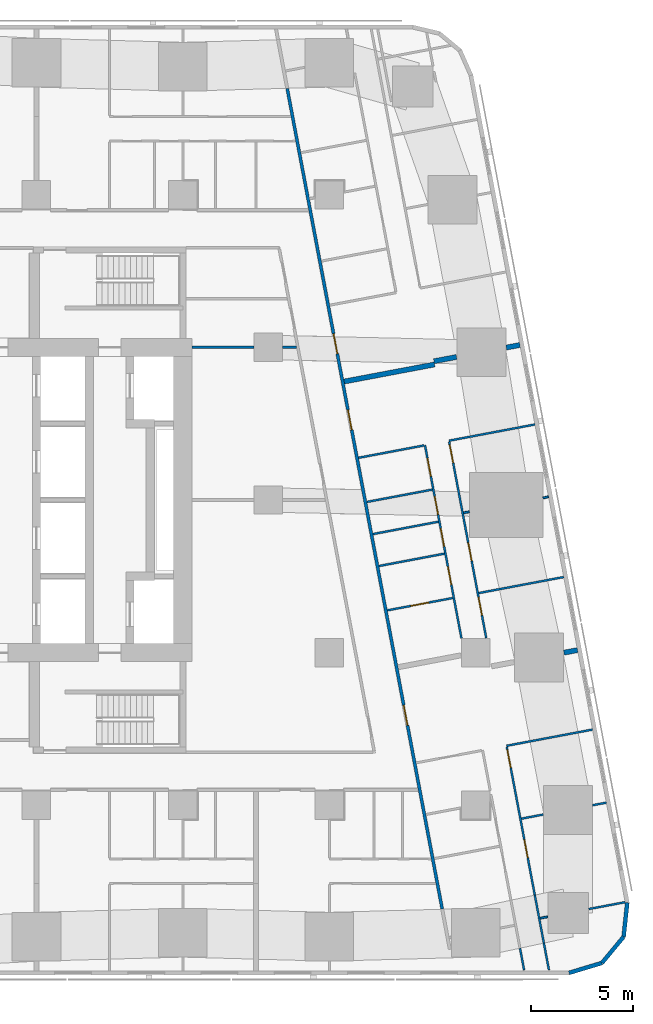
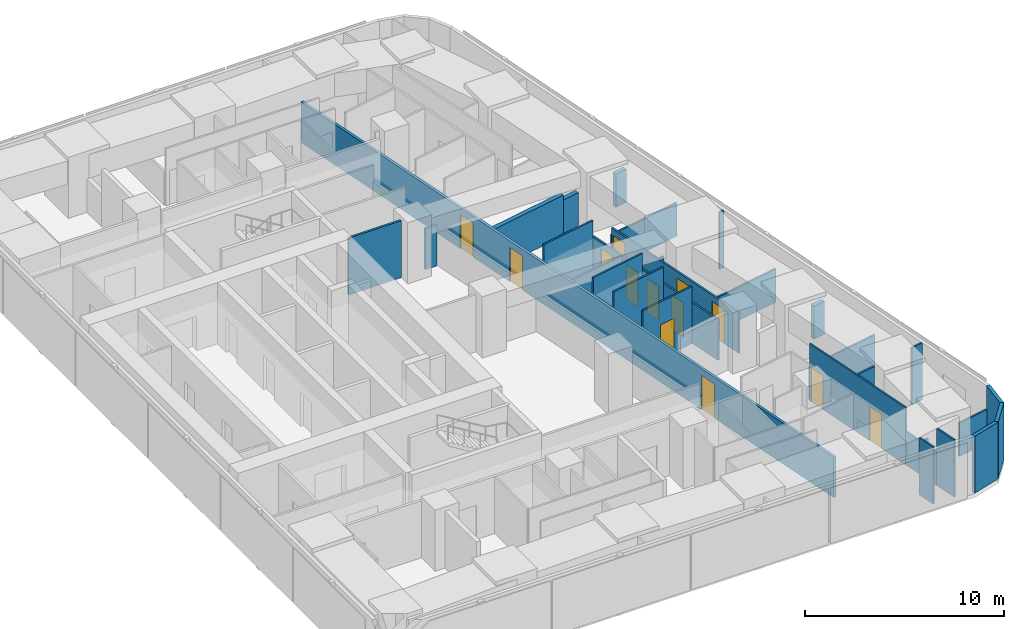
# One storey, part 5 of 10: 30 walls, 13 doors, 13 openings.
"""IFC4 building model written with IfcOpenShell, lengths in metres."""

from ifc_helpers import new_model, si_unit, direction, frame, frame_2d, origin, place, context, subcontext, project, spatial, rectangle, extrude, material, layer, layer_set, type_object, element, fill, save


model = new_model("IFC4")

# Units and contexts
model_context = context("Model", 3, precision=1e-05, world=origin(), true_north=direction((0.0, 1.0)))
body_context = subcontext(model_context, "Body", "Model", "MODEL_VIEW")
ifc_project = project(units=[si_unit("LENGTHUNIT", "METRE"), si_unit("AREAUNIT", "SQUARE_METRE"), si_unit("VOLUMEUNIT", "CUBIC_METRE"), si_unit("PLANEANGLEUNIT", "RADIAN"), si_unit("MASSUNIT", "GRAM", prefix="KILO")], contexts=[model_context])

# Site, building, storey
site_placement = place(None, origin())
site = spatial("IfcSite", under=ifc_project, at=site_placement, CompositionType="ELEMENT")
building_placement = place(site_placement, origin())
building = spatial("IfcBuilding", under=site, at=building_placement, Name="Sheger Commons Tower", CompositionType="ELEMENT")
storey_placement = place(building_placement, frame((0.0, 0.0, 238.699951171875)))
storey = spatial("IfcBuildingStorey", under=building, at=storey_placement, Name="L61", CompositionType="ELEMENT", Elevation=238.699951171875)

# Wall, openings, doors
ifc_material_1 = material(Name="Hollow concrete block masonry, skimmed both sides", Category="masonry")
ifc_layer_1 = layer(ifc_material_1, 0.14990234375)
ifc_layer_set_1 = layer_set([ifc_layer_1], Name="CORRIDOR WALL 150")
wall_type_1 = type_object("IfcWallType", Name="CORRIDOR WALL 150", PredefinedType="SOLIDWALL", material=ifc_layer_set_1)
wall_1_placement = place(storey_placement, frame((33.93310546875, 42.72998046875, 0.0), z_axis=(0.0, 0.0, 1.0), x_axis=(0.185595417643, -0.982626246825, 0.0)))
wall_1 = element("IfcWall", 1, at=wall_1_placement, inside=storey, type_object=wall_type_1, Name="Corridor wall L61", PredefinedType="SOLIDWALL", context=body_context, shape_type="SweptSolid", body=[
    extrude(rectangle(XDim=41.051025390625, YDim=0.14990234375, at=frame_2d((20.525390625, 0.0))), origin(), (0.0, 0.0, 1.0), 2.5),
])
opening_1_placement = place(wall_1_placement, frame((12.26611328125, 0.0, 0.0)))
opening_1 = element("IfcOpeningElement", 2, at=opening_1_placement, cuts=wall_1, Name="Opening D1", PredefinedType="OPENING", context=body_context, shape_type="SweptSolid", body=[
    extrude(rectangle(XDim=1.0, YDim=2.10009765625, at=frame_2d((0.5, 1.050048828125))), frame((0.0, 0.0849609375, 0.0), z_axis=(0.0, -1.0, 0.0), x_axis=(1.0, 0.0, 0.0)), (0.0, 0.0, 1.0), 0.169921875),
])
opening_2_placement = place(wall_1_placement, frame((16.08203125, 0.0, 0.0)))
opening_2 = element("IfcOpeningElement", 3, at=opening_2_placement, cuts=wall_1, Name="Opening D1", PredefinedType="OPENING", context=body_context, shape_type="SweptSolid", body=[
    extrude(rectangle(XDim=1.0, YDim=2.10009765625, at=frame_2d((0.5, 1.050048828125))), frame((0.0, 0.0849609375, 0.0), z_axis=(0.0, -1.0, 0.0), x_axis=(1.0, 0.0, 0.0)), (0.0, 0.0, 1.0), 0.169921875),
])
opening_3_placement = place(wall_1_placement, frame((30.862060546875, 0.0, 0.0)))
opening_3 = element("IfcOpeningElement", 4, at=opening_3_placement, cuts=wall_1, Name="Opening D1", PredefinedType="OPENING", context=body_context, shape_type="SweptSolid", body=[
    extrude(rectangle(XDim=1.0, YDim=2.10009765625, at=frame_2d((0.5, 1.050048828125))), frame((0.0, 0.0849609375, 0.0), z_axis=(0.0, -1.0, 0.0), x_axis=(1.0, 0.0, 0.0)), (0.0, 0.0, 1.0), 0.169921875),
])
ifc_material_2 = material(Name="Steel door set, fire rated", Category="steel")
door_type_1 = type_object("IfcDoorType", Name="FLAT ENTRANCE DOOR 1000x2100", OperationType="NOTDEFINED", PredefinedType="DOOR", material=ifc_material_2)
door_1_placement = place(opening_1_placement, origin())
door_1 = element("IfcDoor", 5, at=door_1_placement, inside=storey, type_object=door_type_1, Name="Flat entrance door", OperationType="SINGLE_SWING_LEFT", OverallHeight=2.10009765625, OverallWidth=1.0, PredefinedType="DOOR", context=body_context, shape_type="SweptSolid", body=[
    extrude(rectangle(XDim=1.0, YDim=2.10009765625, at=frame_2d((0.5, 1.050048828125))), frame((0.0, 0.02490234375, 0.0), z_axis=(0.0, -1.0, 0.0), x_axis=(1.0, 0.0, 0.0)), (0.0, 0.0, 1.0), 0.050048828125),
])
fill(opening_1, door_1)
door_2_placement = place(opening_2_placement, origin())
door_2 = element("IfcDoor", 6, at=door_2_placement, inside=storey, type_object=door_type_1, Name="Flat entrance door", OperationType="SINGLE_SWING_RIGHT", OverallHeight=2.10009765625, OverallWidth=1.0, PredefinedType="DOOR", context=body_context, shape_type="SweptSolid", body=[
    extrude(rectangle(XDim=1.0, YDim=2.10009765625, at=frame_2d((0.5, 1.050048828125))), frame((0.0, 0.02490234375, 0.0), z_axis=(0.0, -1.0, 0.0), x_axis=(1.0, 0.0, 0.0)), (0.0, 0.0, 1.0), 0.050048828125),
])
fill(opening_2, door_2)
door_3_placement = place(opening_3_placement, origin())
door_3 = element("IfcDoor", 7, at=door_3_placement, inside=storey, type_object=door_type_1, Name="Flat entrance door", OperationType="SINGLE_SWING_LEFT", OverallHeight=2.10009765625, OverallWidth=1.0, PredefinedType="DOOR", context=body_context, shape_type="SweptSolid", body=[
    extrude(rectangle(XDim=1.0, YDim=2.10009765625, at=frame_2d((0.5, 1.050048828125))), frame((0.0, 0.02490234375, 0.0), z_axis=(0.0, -1.0, 0.0), x_axis=(1.0, 0.0, 0.0)), (0.0, 0.0, 1.0), 0.050048828125),
])
fill(opening_3, door_3)

# Walls
ifc_material_3 = material(Name="Dense concrete block masonry, plastered both sides (separating wall between flats)", Category="masonry")
ifc_layer_2 = layer(ifc_material_3, 0.25)
ifc_layer_set_2 = layer_set([ifc_layer_2], Name="DEMISING WALL 250")
wall_type_2 = type_object("IfcWallType", Name="DEMISING WALL 250", PredefinedType="SOLIDWALL", material=ifc_layer_set_2)
wall_2_placement = place(storey_placement, frame((45.3720703125, 30.12109375, 0.0), z_axis=(0.0, 0.0, 1.0), x_axis=(-0.982347993061, -0.187062611252, 0.0)))
element("IfcWall", 8, at=wall_2_placement, inside=storey, type_object=wall_type_2, Name="Demising wall L61", PredefinedType="SOLIDWALL", context=body_context, shape_type="SweptSolid", body=[
    extrude(rectangle(XDim=0.679931640625, YDim=0.25, at=frame_2d((0.33984375, 0.0))), origin(), (0.0, 0.0, 1.0), 2.050048828125),
])
wall_3_placement = place(storey_placement, frame((42.256103515625, 29.531982421875, 0.0), z_axis=(0.0, 0.0, 1.0), x_axis=(-0.982549954272, -0.185998890749, 0.0)))
element("IfcWall", 9, at=wall_3_placement, inside=storey, type_object=wall_type_2, Name="Demising wall L61", PredefinedType="SOLIDWALL", context=body_context, shape_type="SweptSolid", body=[
    extrude(rectangle(XDim=1.12890625, YDim=0.25, at=frame_2d((0.564453125, 0.0))), origin(), (0.0, 0.0, 1.0), 2.050048828125),
])
wall_4_placement = place(storey_placement, frame((41.177001953125, 29.1640625, 0.0), z_axis=(0.0, 0.0, 1.0), x_axis=(-0.982612837616, -0.185666398014, 0.0)))
element("IfcWall", 10, at=wall_4_placement, inside=storey, type_object=wall_type_2, Name="Demising wall L61", PredefinedType="SOLIDWALL", context=body_context, shape_type="SweptSolid", body=[
    extrude(rectangle(XDim=4.524658203125, YDim=0.25, at=frame_2d((2.26220703125, 0.0))), origin(), (0.0, 0.0, 1.0), 2.5),
])
wall_5_placement = place(storey_placement, frame((48.2060546875, 15.1201171875, 0.0), z_axis=(0.0, 0.0, 1.0), x_axis=(-0.982610999048, -0.18567612811, 0.0)))
element("IfcWall", 11, at=wall_5_placement, inside=storey, type_object=wall_type_2, Name="Demising wall L61", PredefinedType="SOLIDWALL", context=body_context, shape_type="SweptSolid", body=[
    extrude(rectangle(XDim=0.6796875, YDim=0.25, at=frame_2d((0.33984375, 0.0))), origin(), (0.0, 0.0, 1.0), 2.050048828125),
])
ifc_material_4 = material(Name="Rendered concrete block masonry, dark grey", Category="masonry")
ifc_layer_3 = layer(ifc_material_4, 0.199951171875)
ifc_layer_set_3 = layer_set([ifc_layer_3], Name="FACADE WALL 200")
wall_type_3 = type_object("IfcWallType", Name="FACADE WALL 200", PredefinedType="SOLIDWALL", material=ifc_layer_set_3)
wall_6_placement = place(storey_placement, frame((47.791015625, -0.75, 0.0), z_axis=(0.0, 0.0, 1.0), x_axis=(0.957455232626, 0.288581838509, 0.0)))
element("IfcWall", 12, at=wall_6_placement, inside=storey, type_object=wall_type_3, Name="Facade wall L61", PredefinedType="SOLIDWALL", context=body_context, shape_type="SweptSolid", body=[
    extrude(rectangle(XDim=1.687744140625, YDim=0.199951171875, at=frame_2d((0.84375, 0.0))), origin(), (0.0, 0.0, 1.0), 3.5),
])
wall_7_placement = place(storey_placement, frame((49.406982421875, -0.262939453125, 0.0), z_axis=(0.0, 0.0, 1.0), x_axis=(0.638042593423, 0.770001070764, 0.0)))
element("IfcWall", 13, at=wall_7_placement, inside=storey, type_object=wall_type_3, Name="Facade wall L61", PredefinedType="SOLIDWALL", context=body_context, shape_type="SweptSolid", body=[
    extrude(rectangle(XDim=1.672607421875, YDim=0.199951171875, at=frame_2d((0.83642578125, 0.0))), origin(), (0.0, 0.0, 1.0), 3.5),
])
wall_8_placement = place(storey_placement, frame((50.47412109375, 1.02490234375, 0.0), z_axis=(0.0, 0.0, 1.0), x_axis=(0.106047815515, 0.994361031429, 0.0)))
element("IfcWall", 14, at=wall_8_placement, inside=storey, type_object=wall_type_3, Name="Facade wall L61", PredefinedType="SOLIDWALL", context=body_context, shape_type="SweptSolid", body=[
    extrude(rectangle(XDim=1.6875, YDim=0.199951171875, at=frame_2d((0.84375, 0.0))), origin(), (0.0, 0.0, 1.0), 3.5),
])

# Wall, openings, doors
ifc_material_5 = material(Name="Gypsum board on steel studs", Category="steel")
ifc_layer_4 = layer(ifc_material_5, 0.10009765625)
ifc_layer_set_4 = layer_set([ifc_layer_4], Name="PARTITION 100")
wall_type_4 = type_object("IfcWallType", Name="PARTITION 100", PredefinedType="PARTITIONING", material=ifc_layer_set_4)
wall_9_placement = place(storey_placement, frame((41.89404296875, 25.365966796875, 0.0), z_axis=(0.0, 0.0, 1.0), x_axis=(0.185612905165, -0.982622943675, 0.0)))
wall_9 = element("IfcWall", 15, at=wall_9_placement, inside=storey, type_object=wall_type_4, Name="Partition L61", PredefinedType="PARTITIONING", context=body_context, shape_type="SweptSolid", body=[
    extrude(rectangle(XDim=9.82666015625, YDim=0.10009765625, at=frame_2d((4.913330078125, 0.0))), origin(), (0.0, 0.0, 1.0), 2.5),
])
opening_4_placement = place(wall_9_placement, frame((0.15087890625, 0.0, 0.0)))
opening_4 = element("IfcOpeningElement", 16, at=opening_4_placement, cuts=wall_9, Name="Opening D2", PredefinedType="OPENING", context=body_context, shape_type="SweptSolid", body=[
    extrude(rectangle(XDim=0.89990234375, YDim=2.10009765625, at=frame_2d((0.449951171875, 1.050048828125))), frame((0.0, 0.06005859375, 0.0), z_axis=(0.0, -1.0, 0.0), x_axis=(1.0, 0.0, 0.0)), (0.0, 0.0, 1.0), 0.1201171875),
])
opening_5_placement = place(wall_9_placement, frame((5.050048828125, 0.0, 0.0)))
opening_5 = element("IfcOpeningElement", 17, at=opening_5_placement, cuts=wall_9, Name="Opening D2", PredefinedType="OPENING", context=body_context, shape_type="SweptSolid", body=[
    extrude(rectangle(XDim=0.89990234375, YDim=2.10009765625, at=frame_2d((0.449951171875, 1.050048828125))), frame((0.0, 0.06005859375, 0.0), z_axis=(0.0, -1.0, 0.0), x_axis=(1.0, 0.0, 0.0)), (0.0, 0.0, 1.0), 0.1201171875),
])
opening_6_placement = place(wall_9_placement, frame((7.782958984375, 0.0, 0.0)))
opening_6 = element("IfcOpeningElement", 18, at=opening_6_placement, cuts=wall_9, Name="Opening D2", PredefinedType="OPENING", context=body_context, shape_type="SweptSolid", body=[
    extrude(rectangle(XDim=0.89990234375, YDim=2.10009765625, at=frame_2d((0.449951171875, 1.050048828125))), frame((0.0, 0.06005859375, 0.0), z_axis=(0.0, -1.0, 0.0), x_axis=(1.0, 0.0, 0.0)), (0.0, 0.0, 1.0), 0.1201171875),
])
ifc_material_6 = material(Name="Timber door set", Category="wood")
door_type_2 = type_object("IfcDoorType", Name="INTERNAL DOOR 900x2100", OperationType="NOTDEFINED", PredefinedType="DOOR", material=ifc_material_6)
door_4_placement = place(opening_4_placement, origin())
door_4 = element("IfcDoor", 19, at=door_4_placement, inside=storey, type_object=door_type_2, Name="Main bedroom door", OperationType="SINGLE_SWING_LEFT", OverallHeight=2.10009765625, OverallWidth=0.89990234375, PredefinedType="DOOR", context=body_context, shape_type="SweptSolid", body=[
    extrude(rectangle(XDim=0.89990234375, YDim=2.10009765625, at=frame_2d((0.449951171875, 1.050048828125))), frame((0.0, 0.02490234375, 0.0), z_axis=(0.0, -1.0, 0.0), x_axis=(1.0, 0.0, 0.0)), (0.0, 0.0, 1.0), 0.050048828125),
])
fill(opening_4, door_4)
door_5_placement = place(opening_5_placement, origin())
door_5 = element("IfcDoor", 20, at=door_5_placement, inside=storey, type_object=door_type_2, Name="Bedroom 2 door", OperationType="SINGLE_SWING_LEFT", OverallHeight=2.10009765625, OverallWidth=0.89990234375, PredefinedType="DOOR", context=body_context, shape_type="SweptSolid", body=[
    extrude(rectangle(XDim=0.89990234375, YDim=2.10009765625, at=frame_2d((0.449951171875, 1.050048828125))), frame((0.0, 0.02490234375, 0.0), z_axis=(0.0, -1.0, 0.0), x_axis=(1.0, 0.0, 0.0)), (0.0, 0.0, 1.0), 0.050048828125),
])
fill(opening_5, door_5)
door_6_placement = place(opening_6_placement, origin())
door_6 = element("IfcDoor", 21, at=door_6_placement, inside=storey, type_object=door_type_2, Name="Bedroom 3 door", OperationType="SINGLE_SWING_LEFT", OverallHeight=2.10009765625, OverallWidth=0.89990234375, PredefinedType="DOOR", context=body_context, shape_type="SweptSolid", body=[
    extrude(rectangle(XDim=0.89990234375, YDim=2.10009765625, at=frame_2d((0.449951171875, 1.050048828125))), frame((0.0, 0.02490234375, 0.0), z_axis=(0.0, -1.0, 0.0), x_axis=(1.0, 0.0, 0.0)), (0.0, 0.0, 1.0), 0.050048828125),
])
fill(opening_6, door_6)

wall_10_placement = place(storey_placement, frame((40.7060546875, 25.19189453125, 0.0), z_axis=(0.0, 0.0, 1.0), x_axis=(0.185629824463, -0.982619747547, 0.0)))
wall_10 = element("IfcWall", 22, at=wall_10_placement, inside=storey, type_object=wall_type_4, Name="Partition L61", PredefinedType="PARTITIONING", context=body_context, shape_type="SweptSolid", body=[
    extrude(rectangle(XDim=9.658935546875, YDim=0.10009765625, at=frame_2d((4.82958984375, 0.0))), origin(), (0.0, 0.0, 1.0), 2.5),
])
opening_7_placement = place(wall_10_placement, frame((0.655029296875, 0.0, 0.0)))
opening_7 = element("IfcOpeningElement", 23, at=opening_7_placement, cuts=wall_10, Name="Opening D2", PredefinedType="OPENING", context=body_context, shape_type="SweptSolid", body=[
    extrude(rectangle(XDim=0.89990234375, YDim=2.10009765625, at=frame_2d((0.449951171875, 1.050048828125))), frame((0.0, 0.06005859375, 0.0), z_axis=(0.0, -1.0, 0.0), x_axis=(1.0, 0.0, 0.0)), (0.0, 0.0, 1.0), 0.1201171875),
])
opening_8_placement = place(wall_10_placement, frame((4.166015625, 0.0, 0.0)))
opening_8 = element("IfcOpeningElement", 24, at=opening_8_placement, cuts=wall_10, Name="Opening D2", PredefinedType="OPENING", context=body_context, shape_type="SweptSolid", body=[
    extrude(rectangle(XDim=0.89990234375, YDim=2.10009765625, at=frame_2d((0.449951171875, 1.050048828125))), frame((0.0, 0.06005859375, 0.0), z_axis=(0.0, -1.0, 0.0), x_axis=(1.0, 0.0, 0.0)), (0.0, 0.0, 1.0), 0.1201171875),
])
opening_9_placement = place(wall_10_placement, frame((2.56298828125, 0.0, 0.0)))
opening_9 = element("IfcOpeningElement", 25, at=opening_9_placement, cuts=wall_10, Name="Opening D2", PredefinedType="OPENING", context=body_context, shape_type="SweptSolid", body=[
    extrude(rectangle(XDim=0.89990234375, YDim=2.10009765625, at=frame_2d((0.449951171875, 1.050048828125))), frame((0.0, 0.06005859375, 0.0), z_axis=(0.0, -1.0, 0.0), x_axis=(1.0, 0.0, 0.0)), (0.0, 0.0, 1.0), 0.1201171875),
])
opening_10_placement = place(wall_10_placement, frame((6.073974609375, 0.0, 0.0)))
opening_10 = element("IfcOpeningElement", 26, at=opening_10_placement, cuts=wall_10, Name="Opening D2", PredefinedType="OPENING", context=body_context, shape_type="SweptSolid", body=[
    extrude(rectangle(XDim=0.89990234375, YDim=2.10009765625, at=frame_2d((0.449951171875, 1.050048828125))), frame((0.0, 0.06005859375, 0.0), z_axis=(0.0, -1.0, 0.0), x_axis=(1.0, 0.0, 0.0)), (0.0, 0.0, 1.0), 0.1201171875),
])
door_7_placement = place(opening_7_placement, origin())
door_7 = element("IfcDoor", 27, at=door_7_placement, inside=storey, type_object=door_type_2, Name="Bathroom door", OperationType="SINGLE_SWING_RIGHT", OverallHeight=2.10009765625, OverallWidth=0.89990234375, PredefinedType="DOOR", context=body_context, shape_type="SweptSolid", body=[
    extrude(rectangle(XDim=0.89990234375, YDim=2.10009765625, at=frame_2d((0.449951171875, 1.050048828125))), frame((0.0, 0.02490234375, 0.0), z_axis=(0.0, -1.0, 0.0), x_axis=(1.0, 0.0, 0.0)), (0.0, 0.0, 1.0), 0.050048828125),
])
fill(opening_7, door_7)
door_8_placement = place(opening_8_placement, origin())
door_8 = element("IfcDoor", 28, at=door_8_placement, inside=storey, type_object=door_type_2, Name="Shower room door", OperationType="SINGLE_SWING_LEFT", OverallHeight=2.10009765625, OverallWidth=0.89990234375, PredefinedType="DOOR", context=body_context, shape_type="SweptSolid", body=[
    extrude(rectangle(XDim=0.89990234375, YDim=2.10009765625, at=frame_2d((0.449951171875, 1.050048828125))), frame((0.0, 0.02490234375, 0.0), z_axis=(0.0, -1.0, 0.0), x_axis=(1.0, 0.0, 0.0)), (0.0, 0.0, 1.0), 0.050048828125),
])
fill(opening_8, door_8)
door_9_placement = place(opening_9_placement, origin())
door_9 = element("IfcDoor", 29, at=door_9_placement, inside=storey, type_object=door_type_2, Name="Store door", OperationType="SINGLE_SWING_LEFT", OverallHeight=2.10009765625, OverallWidth=0.89990234375, PredefinedType="DOOR", context=body_context, shape_type="SweptSolid", body=[
    extrude(rectangle(XDim=0.89990234375, YDim=2.10009765625, at=frame_2d((0.449951171875, 1.050048828125))), frame((0.0, 0.02490234375, 0.0), z_axis=(0.0, -1.0, 0.0), x_axis=(1.0, 0.0, 0.0)), (0.0, 0.0, 1.0), 0.050048828125),
])
fill(opening_9, door_9)
door_10_placement = place(opening_10_placement, origin())
door_10 = element("IfcDoor", 30, at=door_10_placement, inside=storey, type_object=door_type_2, Name="Store door", OperationType="SINGLE_SWING_RIGHT", OverallHeight=2.10009765625, OverallWidth=0.89990234375, PredefinedType="DOOR", context=body_context, shape_type="SweptSolid", body=[
    extrude(rectangle(XDim=0.89990234375, YDim=2.10009765625, at=frame_2d((0.449951171875, 1.050048828125))), frame((0.0, 0.02490234375, 0.0), z_axis=(0.0, -1.0, 0.0), x_axis=(1.0, 0.0, 0.0)), (0.0, 0.0, 1.0), 0.050048828125),
])
fill(opening_10, door_10)

# Walls
wall_11_placement = place(storey_placement, frame((46.110107421875, 26.212890625, 0.0), z_axis=(0.0, 0.0, 1.0), x_axis=(-0.982633535512, -0.185556823879, 0.0)))
element("IfcWall", 31, at=wall_11_placement, inside=storey, type_object=wall_type_4, Name="Partition L61", PredefinedType="PARTITIONING", context=body_context, shape_type="SweptSolid", body=[
    extrude(rectangle(XDim=4.2998046875, YDim=0.10009765625, at=frame_2d((2.14990234375, 0.0))), origin(), (0.0, 0.0, 1.0), 2.050048828125),
])
wall_12_placement = place(storey_placement, frame((46.781982421875, 22.656982421875, 0.0), z_axis=(0.0, 0.0, 1.0), x_axis=(-0.982574553168, -0.185868898601, 0.0)))
element("IfcWall", 32, at=wall_12_placement, inside=storey, type_object=wall_type_4, Name="Partition L61", PredefinedType="PARTITIONING", context=body_context, shape_type="SweptSolid", body=[
    extrude(rectangle(XDim=0.27978515625, YDim=0.10009765625, at=frame_2d((0.139892578125, 0.0))), origin(), (0.0, 0.0, 1.0), 3.5),
])
wall_13_placement = place(storey_placement, frame((42.886962890625, 21.9208984375, 0.0), z_axis=(0.0, 0.0, 1.0), x_axis=(-0.982688058078, -0.185267861514, 0.0)))
element("IfcWall", 33, at=wall_13_placement, inside=storey, type_object=wall_type_4, Name="Partition L61", PredefinedType="PARTITIONING", context=body_context, shape_type="SweptSolid", body=[
    extrude(rectangle(XDim=0.285888671875, YDim=0.10009765625, at=frame_2d((0.14306640625, 0.0))), origin(), (0.0, 0.0, 1.0), 2.5),
])
wall_14_placement = place(storey_placement, frame((47.527099609375, 18.7119140625, 0.0), z_axis=(0.0, 0.0, 1.0), x_axis=(-0.982665405803, -0.185387972203, 0.0)))
element("IfcWall", 34, at=wall_14_placement, inside=storey, type_object=wall_type_4, Name="Partition L61", PredefinedType="PARTITIONING", context=body_context, shape_type="SweptSolid", body=[
    extrude(rectangle(XDim=4.249755859375, YDim=0.10009765625, at=frame_2d((2.125, 0.0))), origin(), (0.0, 0.0, 1.0), 2.050048828125),
])
for number, where, z_axis, x_axis, name in (
    (35, (40.656982421875, 25.18310546875, 0.0), (0.0, 0.0, 1.0), (-0.982607026909, -0.185697147715, 0.0), "Partition L61"),
    (36, (41.364990234375, 21.43310546875, 0.0), (0.0, 0.0, 1.0), (-0.982607026909, -0.185697147715, 0.0), "Partition L61"),
):
    element("IfcWall", number, at=place(storey_placement, frame(where, z_axis=z_axis, x_axis=x_axis)), inside=storey, type_object=wall_type_4, Name=name, PredefinedType="PARTITIONING", context=body_context, shape_type="SweptSolid", body=[
        extrude(rectangle(XDim=3.27490234375, YDim=0.10009765625, at=frame_2d((1.637451171875, 0.0))), origin(), (0.0, 0.0, 1.0), 3.5),
    ])

# Wall, opening, door
wall_15_placement = place(storey_placement, frame((42.072998046875, 17.681884765625, 0.0), z_axis=(0.0, 0.0, 1.0), x_axis=(-0.982620626894, -0.185625169636, 0.0)))
wall_15 = element("IfcWall", 37, at=wall_15_placement, inside=storey, type_object=wall_type_4, Name="Partition L61", PredefinedType="PARTITIONING", context=body_context, shape_type="SweptSolid", body=[
    extrude(rectangle(XDim=3.27490234375, YDim=0.10009765625, at=frame_2d((1.637451171875, 0.0))), origin(), (0.0, 0.0, 1.0), 3.5),
])
opening_11_placement = place(wall_15_placement, frame((1.199951171875, 0.0, 0.0)))
opening_11 = element("IfcOpeningElement", 38, at=opening_11_placement, cuts=wall_15, Name="Opening D2", PredefinedType="OPENING", context=body_context, shape_type="SweptSolid", body=[
    extrude(rectangle(XDim=0.89990234375, YDim=2.10009765625, at=frame_2d((0.449951171875, 1.050048828125))), frame((0.0, 0.06005859375, 0.0), z_axis=(0.0, -1.0, 0.0), x_axis=(1.0, 0.0, 0.0)), (0.0, 0.0, 1.0), 0.1201171875),
])
door_11_placement = place(opening_11_placement, origin())
door_11 = element("IfcDoor", 39, at=door_11_placement, inside=storey, type_object=door_type_2, Name="Store door", OperationType="SINGLE_SWING_LEFT", OverallHeight=2.10009765625, OverallWidth=0.89990234375, PredefinedType="DOOR", context=body_context, shape_type="SweptSolid", body=[
    extrude(rectangle(XDim=0.89990234375, YDim=2.10009765625, at=frame_2d((0.449951171875, 1.050048828125))), frame((0.0, 0.02490234375, 0.0), z_axis=(0.0, -1.0, 0.0), x_axis=(1.0, 0.0, 0.0)), (0.0, 0.0, 1.0), 0.050048828125),
])
fill(opening_11, door_11)

# Walls
wall_16_placement = place(storey_placement, frame((41.06689453125, 23.010986328125, 0.0), z_axis=(0.0, 0.0, 1.0), x_axis=(-0.982618057925, -0.185638768151, 0.0)))
element("IfcWall", 40, at=wall_16_placement, inside=storey, type_object=wall_type_4, Name="Partition L61", PredefinedType="PARTITIONING", context=body_context, shape_type="SweptSolid", body=[
    extrude(rectangle(XDim=3.274658203125, YDim=0.10009765625, at=frame_2d((1.63720703125, 0.0))), origin(), (0.0, 0.0, 1.0), 2.5),
])
wall_17_placement = place(storey_placement, frame((41.662109375, 19.861083984375, 0.0), z_axis=(0.0, 0.0, 1.0), x_axis=(-0.982607026909, -0.185697147715, 0.0)))
element("IfcWall", 41, at=wall_17_placement, inside=storey, type_object=wall_type_4, Name="Partition L61", PredefinedType="PARTITIONING", context=body_context, shape_type="SweptSolid", body=[
    extrude(rectangle(XDim=3.27490234375, YDim=0.10009765625, at=frame_2d((1.637451171875, 0.0))), origin(), (0.0, 0.0, 1.0), 3.5),
])

# Wall, openings, doors
wall_18_placement = place(storey_placement, frame((44.72705078125, 10.365966796875, 0.0), z_axis=(0.0, 0.0, 1.0), x_axis=(0.185678775129, -0.982610498858, 0.0)))
wall_18 = element("IfcWall", 42, at=wall_18_placement, inside=storey, type_object=wall_type_4, Name="Partition L61", PredefinedType="PARTITIONING", context=body_context, shape_type="SweptSolid", body=[
    extrude(rectangle(XDim=7.421142578125, YDim=0.10009765625, at=frame_2d((3.71044921875, 0.0))), origin(), (0.0, 0.0, 1.0), 3.5),
])
opening_12_placement = place(wall_18_placement, frame((0.15087890625, 0.0, 0.0)))
opening_12 = element("IfcOpeningElement", 43, at=opening_12_placement, cuts=wall_18, Name="Opening D2", PredefinedType="OPENING", context=body_context, shape_type="SweptSolid", body=[
    extrude(rectangle(XDim=0.89990234375, YDim=2.10009765625, at=frame_2d((0.449951171875, 1.050048828125))), frame((0.0, 0.06005859375, 0.0), z_axis=(0.0, -1.0, 0.0), x_axis=(1.0, 0.0, 0.0)), (0.0, 0.0, 1.0), 0.1201171875),
])
opening_13_placement = place(wall_18_placement, frame((4.64990234375, 0.0, 0.0)))
opening_13 = element("IfcOpeningElement", 44, at=opening_13_placement, cuts=wall_18, Name="Opening D2", PredefinedType="OPENING", context=body_context, shape_type="SweptSolid", body=[
    extrude(rectangle(XDim=0.89990234375, YDim=2.10009765625, at=frame_2d((0.449951171875, 1.050048828125))), frame((0.0, 0.06005859375, 0.0), z_axis=(0.0, -1.0, 0.0), x_axis=(1.0, 0.0, 0.0)), (0.0, 0.0, 1.0), 0.1201171875),
])
door_12_placement = place(opening_12_placement, origin())
door_12 = element("IfcDoor", 45, at=door_12_placement, inside=storey, type_object=door_type_2, Name="Main bedroom door", OperationType="SINGLE_SWING_LEFT", OverallHeight=2.10009765625, OverallWidth=0.89990234375, PredefinedType="DOOR", context=body_context, shape_type="SweptSolid", body=[
    extrude(rectangle(XDim=0.89990234375, YDim=2.10009765625, at=frame_2d((0.449951171875, 1.050048828125))), frame((0.0, 0.02490234375, 0.0), z_axis=(0.0, -1.0, 0.0), x_axis=(1.0, 0.0, 0.0)), (0.0, 0.0, 1.0), 0.050048828125),
])
fill(opening_12, door_12)
door_13_placement = place(opening_13_placement, origin())
door_13 = element("IfcDoor", 46, at=door_13_placement, inside=storey, type_object=door_type_2, Name="Bedroom 2 door", OperationType="SINGLE_SWING_LEFT", OverallHeight=2.10009765625, OverallWidth=0.89990234375, PredefinedType="DOOR", context=body_context, shape_type="SweptSolid", body=[
    extrude(rectangle(XDim=0.89990234375, YDim=2.10009765625, at=frame_2d((0.449951171875, 1.050048828125))), frame((0.0, 0.02490234375, 0.0), z_axis=(0.0, -1.0, 0.0), x_axis=(1.0, 0.0, 0.0)), (0.0, 0.0, 1.0), 0.050048828125),
])
fill(opening_13, door_13)

# Walls
wall_19_placement = place(storey_placement, frame((46.10498046875, 3.073974609375, 0.0), z_axis=(0.0, 0.0, 1.0), x_axis=(0.185631845838, -0.982619365681, 0.0)))
element("IfcWall", 47, at=wall_19_placement, inside=storey, type_object=wall_type_4, Name="Partition L61", PredefinedType="PARTITIONING", context=body_context, shape_type="SweptSolid", body=[
    extrude(rectangle(XDim=2.40283203125, YDim=0.10009765625, at=frame_2d((1.201416015625, 0.0))), origin(), (0.0, 0.0, 1.0), 2.050048828125),
])
wall_20_placement = place(storey_placement, frame((46.551025390625, 0.712890625, 0.0), z_axis=(0.0, 0.0, 1.0), x_axis=(0.185407859198, -0.982661653748, 0.0)))
element("IfcWall", 48, at=wall_20_placement, inside=storey, type_object=wall_type_4, Name="Partition L61", PredefinedType="PARTITIONING", context=body_context, shape_type="SweptSolid", body=[
    extrude(rectangle(XDim=1.343017578125, YDim=0.10009765625, at=frame_2d((0.67138671875, 0.0))), origin(), (0.0, 0.0, 1.0), 3.5),
])
wall_21_placement = place(storey_placement, frame((45.376953125, 0.4619140625, 0.0), z_axis=(0.0, 0.0, 1.0), x_axis=(0.185513480919, -0.982641719243, 0.0)))
element("IfcWall", 49, at=wall_21_placement, inside=storey, type_object=wall_type_4, Name="Partition L61", PredefinedType="PARTITIONING", context=body_context, shape_type="SweptSolid", body=[
    extrude(rectangle(XDim=1.094970703125, YDim=0.10009765625, at=frame_2d((0.54736328125, 0.0))), origin(), (0.0, 0.0, 1.0), 3.5),
])
wall_22_placement = place(storey_placement, frame((48.943115234375, 11.212890625, 0.0), z_axis=(0.0, 0.0, 1.0), x_axis=(-0.982633535512, -0.185556823879, 0.0)))
element("IfcWall", 50, at=wall_22_placement, inside=storey, type_object=wall_type_4, Name="Partition L61", PredefinedType="PARTITIONING", context=body_context, shape_type="SweptSolid", body=[
    extrude(rectangle(XDim=4.2998046875, YDim=0.10009765625, at=frame_2d((2.14990234375, 0.0))), origin(), (0.0, 0.0, 1.0), 2.050048828125),
])
wall_23_placement = place(storey_placement, frame((49.6220703125, 7.6201171875, 0.0), z_axis=(0.0, 0.0, 1.0), x_axis=(-0.98254419619, -0.186029305578, 0.0)))
element("IfcWall", 51, at=wall_23_placement, inside=storey, type_object=wall_type_4, Name="Partition L61", PredefinedType="PARTITIONING", context=body_context, shape_type="SweptSolid", body=[
    extrude(rectangle(XDim=0.6943359375, YDim=0.10009765625, at=frame_2d((0.34716796875, 0.0))), origin(), (0.0, 0.0, 1.0), 3.5),
])
wall_24_placement = place(storey_placement, frame((46.52001953125, 7.034912109375, 0.0), z_axis=(0.0, 0.0, 1.0), x_axis=(-0.982620932907, -0.185623549726, 0.0)))
element("IfcWall", 52, at=wall_24_placement, inside=storey, type_object=wall_type_4, Name="Partition L61", PredefinedType="PARTITIONING", context=body_context, shape_type="SweptSolid", body=[
    extrude(rectangle(XDim=1.093017578125, YDim=0.10009765625, at=frame_2d((0.54638671875, 0.0))), origin(), (0.0, 0.0, 1.0), 3.5),
])
wall_25_placement = place(storey_placement, frame((50.547119140625, 2.72607421875, 0.0), z_axis=(0.0, 0.0, 1.0), x_axis=(-0.982603988143, -0.185713226471, 0.0)))
element("IfcWall", 53, at=wall_25_placement, inside=storey, type_object=wall_type_4, Name="Partition L61", PredefinedType="PARTITIONING", context=body_context, shape_type="SweptSolid", body=[
    extrude(rectangle(XDim=1.82080078125, YDim=0.10009765625, at=frame_2d((0.910400390625, 0.0))), origin(), (0.0, 0.0, 1.0), 2.050048828125),
])
wall_26_placement = place(storey_placement, frame((46.738037109375, 2.006103515625, 0.0), z_axis=(0.0, 0.0, 1.0), x_axis=(-0.982820466874, -0.184564161994, 0.0)))
element("IfcWall", 54, at=wall_26_placement, inside=storey, type_object=wall_type_4, Name="Partition L61", PredefinedType="PARTITIONING", context=body_context, shape_type="SweptSolid", body=[
    extrude(rectangle(XDim=0.374267578125, YDim=0.10009765625, at=frame_2d((0.18701171875, 0.0))), origin(), (0.0, 0.0, 1.0), 2.050048828125),
])
ifc_material_7 = material(Name="Gypsum board on steel studs, two layers each side, fire rated", Category="steel")
ifc_layer_5 = layer(ifc_material_7, 0.125)
ifc_layer_set_5 = layer_set([ifc_layer_5], Name="SERVICE WALL 125")
wall_type_5 = type_object("IfcWallType", Name="SERVICE WALL 125", PredefinedType="PARTITIONING", material=ifc_layer_set_5)
wall_27_placement = place(storey_placement, frame((29.25, 30.0, 0.0), z_axis=(0.0, 0.0, 1.0), x_axis=(1.0, 0.0, 0.0)))
element("IfcWall", 55, at=wall_27_placement, inside=storey, type_object=wall_type_5, Name="Service room wall L61", PredefinedType="PARTITIONING", context=body_context, shape_type="SweptSolid", body=[
    extrude(rectangle(XDim=3.049072265625, YDim=0.125, at=frame_2d((1.5244140625, 0.0))), origin(), (0.0, 0.0, 1.0), 3.5),
])
wall_28_placement = place(storey_placement, frame((33.700927734375, 30.0, 0.0), z_axis=(0.0, 0.0, 1.0), x_axis=(1.0, 0.0, 0.0)))
element("IfcWall", 56, at=wall_28_placement, inside=storey, type_object=wall_type_5, Name="Service room wall L61", PredefinedType="PARTITIONING", context=body_context, shape_type="SweptSolid", body=[
    extrude(rectangle(XDim=0.677978515625, YDim=0.125, at=frame_2d((0.3388671875, 0.0))), origin(), (0.0, 0.0, 1.0), 2.5),
])

save(model, "model.ifc")
